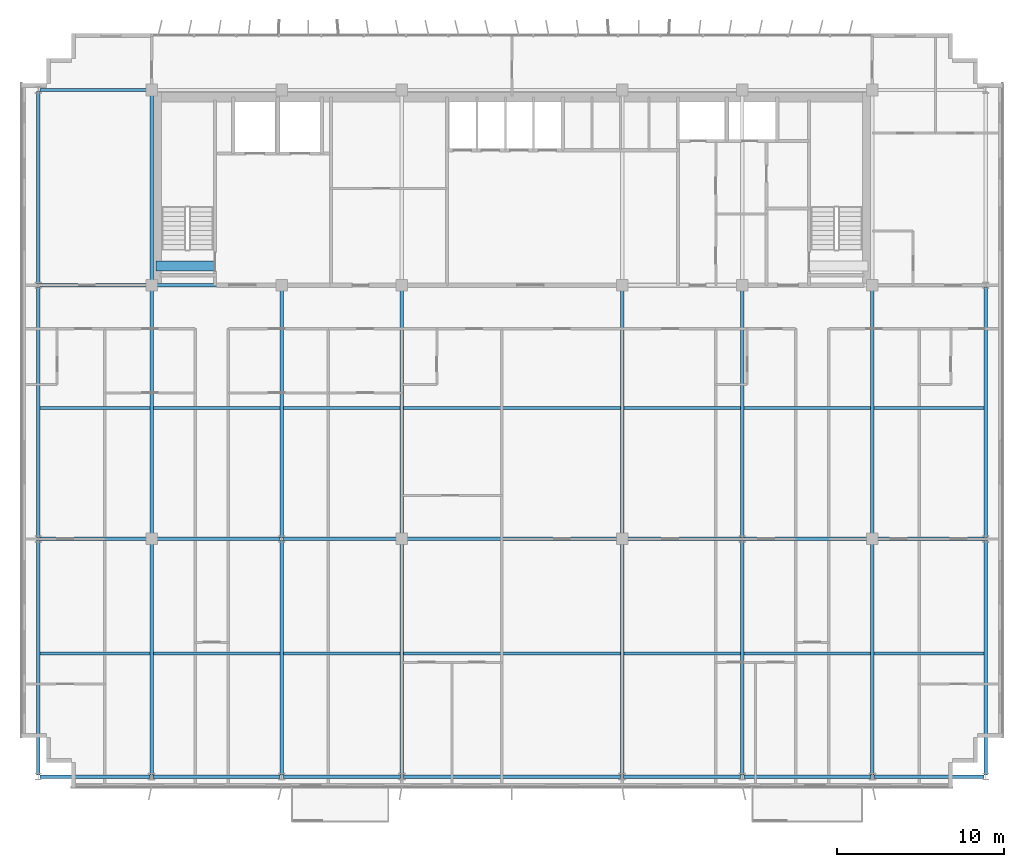
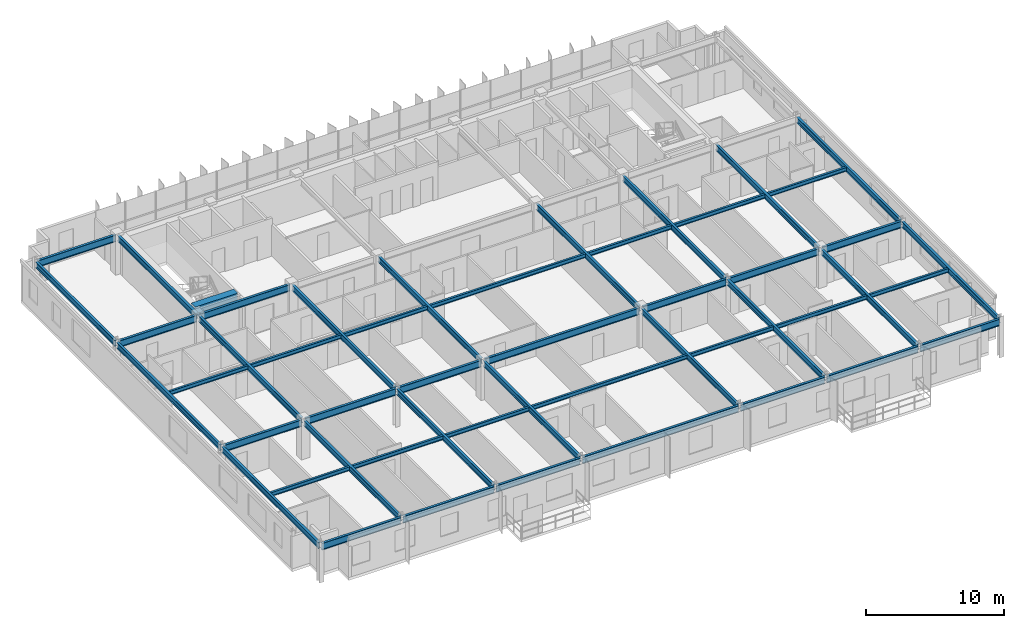
# One storey, part 3 of 21: 50 beams.
"""IFC4 building model written with IfcOpenShell, lengths in metres."""

from ifc_helpers import new_model, si_unit, direction, frame, origin, origin_2d, place, context, subcontext, project, spatial, rectangle, i_section, extrude, source, transform, mapped, material, material_profile, profile_set, type_object, element, save


model = new_model("IFC4")

# Units and contexts
model_context = context("Model", 3, precision=1e-05, world=origin(), true_north=direction((0.0, 1.0)))
body_context = subcontext(model_context, "Body", "Model", "MODEL_VIEW")
ifc_project = project(units=[si_unit("LENGTHUNIT", "METRE"), si_unit("AREAUNIT", "SQUARE_METRE"), si_unit("VOLUMEUNIT", "CUBIC_METRE"), si_unit("PLANEANGLEUNIT", "RADIAN"), si_unit("MASSUNIT", "GRAM", prefix="KILO")], contexts=[model_context])

# Site, building, storey
site_placement = place(None, origin())
site = spatial("IfcSite", under=ifc_project, at=site_placement, CompositionType="ELEMENT")
building_placement = place(site_placement, origin())
building = spatial("IfcBuilding", under=site, at=building_placement, Name="Trelvane Seafront Commons", CompositionType="ELEMENT")
storey_placement = place(building_placement, frame((0.0, 0.0, 160.89990234375)))
storey = spatial("IfcBuildingStorey", under=building, at=storey_placement, Name="L42", CompositionType="ELEMENT", Elevation=160.89990234375)

# Beams
ifc_material_1 = material(Name="Concrete C60/75", Category="concrete")
ifc_material_profile_1 = material_profile(ifc_material_1, rectangle(XDim=0.60009765625, YDim=0.89990234375, at=origin_2d()), Name="RC-600x900")
ifc_profile_set_1 = profile_set([ifc_material_profile_1], Name="Concrete C60/75")
beam_type_1 = type_object("IfcBeamType", Name="STR-LNT-RC600x900", PredefinedType="LINTEL", material=ifc_profile_set_1)
shared_shape_1 = source(origin(), body_context, "Body", "SweptSolid", [
    extrude(rectangle(XDim=0.60009765625, YDim=0.89990234375, at=origin_2d()), origin(), (0.0, 0.0, 1.0), 3.5498046875),
])
beam_1_placement = place(storey_placement, frame((15.85009765625, 34.550048828125, 2.900146484375), z_axis=(1.0, 0.0, 0.0), x_axis=(0.0, 1.0, 0.0)))
element("IfcBeam", 1, at=beam_1_placement, inside=storey, type_object=beam_type_1, Name="L42 Core Coupling Lintel Beam CB-67", PredefinedType="LINTEL", context=body_context, shape_type="MappedRepresentation", body=[
    mapped(shared_shape_1, transform((0.0, 0.0, 0.0), x_axis=(1.0, 0.0, 0.0), y_axis=(0.0, 1.0, 0.0), z_axis=(0.0, 0.0, 1.0), scale=1.0)),
])
ifc_material_2 = material(Name="Steel SM355 (S355)", Category="steel")
ifc_material_profile_2 = material_profile(ifc_material_2, i_section(OverallWidth=0.199951171875, OverallDepth=0.5, WebThickness=0.010009765625, FlangeThickness=0.01611328125, at=origin_2d()), Name="H-500x200x10x16")
ifc_profile_set_2 = profile_set([ifc_material_profile_2], Name="Steel SM355 (S355)")
beam_type_2 = type_object("IfcBeamType", Name="STR-BM-H500", PredefinedType="BEAM", material=ifc_profile_set_2)
shared_shape_2 = source(origin(), body_context, "Body", "SweptSolid", [
    extrude(i_section(OverallWidth=0.199951171875, OverallDepth=0.5, WebThickness=0.010009765625, FlangeThickness=0.01611328125, at=origin_2d()), origin(), (0.0, 0.0, 1.0), 14.89990234375),
])
for number, where, z_axis, x_axis, name in (
    (2, (15.60009765625, 18.35009765625, 3.10009765625), (0.0, 1.0, 0.0), (-1.0, 0.0, 0.0), "L42 Primary Girder G-33"),
    (3, (30.60009765625, 18.35009765625, 3.10009765625), (0.0, 1.0, 0.0), (-1.0, 0.0, 0.0), "L42 Primary Girder G-39"),
    (4, (43.800048828125, 18.35009765625, 3.10009765625), (0.0, 1.0, 0.0), (-1.0, 0.0, 0.0), "L42 Primary Girder G-42"),
    (5, (58.800048828125, 18.35009765625, 3.10009765625), (0.0, 1.0, 0.0), (-1.0, 0.0, 0.0), "L42 Primary Girder G-48"),
):
    element("IfcBeam", number, at=place(storey_placement, frame(where, z_axis=z_axis, x_axis=x_axis)), inside=storey, type_object=beam_type_2, Name=name, PredefinedType="BEAM", context=body_context, shape_type="MappedRepresentation", body=[
        mapped(shared_shape_2, transform((0.0, 0.0, 0.0), x_axis=(1.0, 0.0, 0.0), y_axis=(0.0, 1.0, 0.0), z_axis=(0.0, 0.0, 1.0), scale=1.0)),
    ])
shared_shape_3 = source(origin(), body_context, "Body", "SweptSolid", [
    extrude(i_section(OverallWidth=0.199951171875, OverallDepth=0.5, WebThickness=0.010009765625, FlangeThickness=0.01611328125, at=origin_2d()), origin(), (0.0, 0.0, 1.0), 11.39990234375),
])
beam_2_placement = place(storey_placement, frame((15.60009765625, 33.550048828125, 3.10009765625), z_axis=(0.0, 1.0, 0.0), x_axis=(-1.0, 0.0, 0.0)))
element("IfcBeam", 6, at=beam_2_placement, inside=storey, type_object=beam_type_2, Name="L42 Primary Girder G-34", PredefinedType="BEAM", context=body_context, shape_type="MappedRepresentation", body=[
    mapped(shared_shape_3, transform((0.0, 0.0, 0.0), x_axis=(1.0, 0.0, 0.0), y_axis=(0.0, 1.0, 0.0), z_axis=(0.0, 0.0, 1.0), scale=1.0)),
])
ifc_material_profile_3 = material_profile(ifc_material_2, i_section(OverallWidth=0.175048828125, OverallDepth=0.35009765625, WebThickness=0.007080078125, FlangeThickness=0.010986328125, at=origin_2d()), Name="H-350x175x7x11")
ifc_profile_set_3 = profile_set([ifc_material_profile_3], Name="Steel SM355 (S355)")
beam_type_3 = type_object("IfcBeamType", Name="STR-JST-H350", PredefinedType="JOIST", material=ifc_profile_set_3)
shared_shape_4 = source(origin(), body_context, "Body", "SweptSolid", [
    extrude(i_section(OverallWidth=0.175048828125, OverallDepth=0.35009765625, WebThickness=0.007080078125, FlangeThickness=0.010986328125, at=origin_2d()), origin(), (0.0, 0.0, 1.0), 6.60009765625),
])
for number, where, z_axis, x_axis, name in (
    (7, (8.89990234375, 11.324951171875, 3.175048828125), (1.0, 0.0, 0.0), (0.0, 1.0, 0.0), "L42 Secondary Floor Joist B-53"),
    (8, (58.89990234375, 11.324951171875, 3.175048828125), (1.0, 0.0, 0.0), (0.0, 1.0, 0.0), "L42 Secondary Floor Joist B-59"),
    (9, (8.89990234375, 26.050048828125, 3.175048828125), (1.0, 0.0, 0.0), (0.0, 1.0, 0.0), "L42 Secondary Floor Joist B-60"),
    (10, (58.89990234375, 26.050048828125, 3.175048828125), (1.0, 0.0, 0.0), (0.0, 1.0, 0.0), "L42 Secondary Floor Joist B-66"),
):
    element("IfcBeam", number, at=place(storey_placement, frame(where, z_axis=z_axis, x_axis=x_axis)), inside=storey, type_object=beam_type_3, Name=name, PredefinedType="JOIST", context=body_context, shape_type="MappedRepresentation", body=[
        mapped(shared_shape_4, transform((0.0, 0.0, 0.0), x_axis=(1.0, 0.0, 0.0), y_axis=(0.0, 1.0, 0.0), z_axis=(0.0, 0.0, 1.0), scale=1.0)),
    ])
shared_shape_5 = source(origin(), body_context, "Body", "SweptSolid", [
    extrude(i_section(OverallWidth=0.175048828125, OverallDepth=0.35009765625, WebThickness=0.007080078125, FlangeThickness=0.010986328125, at=origin_2d()), origin(), (0.0, 0.0, 1.0), 7.60009765625),
])
for number, where, z_axis, x_axis, name in (
    (11, (15.699951171875, 11.324951171875, 3.175048828125), (1.0, 0.0, 0.0), (0.0, 1.0, 0.0), "L42 Secondary Floor Joist B-54"),
    (12, (15.699951171875, 26.050048828125, 3.175048828125), (1.0, 0.0, 0.0), (0.0, 1.0, 0.0), "L42 Secondary Floor Joist B-61"),
):
    element("IfcBeam", number, at=place(storey_placement, frame(where, z_axis=z_axis, x_axis=x_axis)), inside=storey, type_object=beam_type_3, Name=name, PredefinedType="JOIST", context=body_context, shape_type="MappedRepresentation", body=[
        mapped(shared_shape_5, transform((0.0, 0.0, 0.0), x_axis=(1.0, 0.0, 0.0), y_axis=(0.0, 1.0, 0.0), z_axis=(0.0, 0.0, 1.0), scale=1.0)),
    ])
shared_shape_6 = source(origin(), body_context, "Body", "SweptSolid", [
    extrude(i_section(OverallWidth=0.175048828125, OverallDepth=0.35009765625, WebThickness=0.007080078125, FlangeThickness=0.010986328125, at=origin_2d()), origin(), (0.0, 0.0, 1.0), 7.0),
])
for number, where, z_axis, x_axis, name in (
    (13, (23.5, 11.324951171875, 3.175048828125), (1.0, 0.0, 0.0), (0.0, 1.0, 0.0), "L42 Secondary Floor Joist B-55"),
    (14, (43.89990234375, 11.324951171875, 3.175048828125), (1.0, 0.0, 0.0), (0.0, 1.0, 0.0), "L42 Secondary Floor Joist B-57"),
    (15, (23.5, 26.050048828125, 3.175048828125), (1.0, 0.0, 0.0), (0.0, 1.0, 0.0), "L42 Secondary Floor Joist B-62"),
    (16, (43.89990234375, 26.050048828125, 3.175048828125), (1.0, 0.0, 0.0), (0.0, 1.0, 0.0), "L42 Secondary Floor Joist B-64"),
):
    element("IfcBeam", number, at=place(storey_placement, frame(where, z_axis=z_axis, x_axis=x_axis)), inside=storey, type_object=beam_type_3, Name=name, PredefinedType="JOIST", context=body_context, shape_type="MappedRepresentation", body=[
        mapped(shared_shape_6, transform((0.0, 0.0, 0.0), x_axis=(1.0, 0.0, 0.0), y_axis=(0.0, 1.0, 0.0), z_axis=(0.0, 0.0, 1.0), scale=1.0)),
    ])
shared_shape_7 = source(origin(), body_context, "Body", "SweptSolid", [
    extrude(i_section(OverallWidth=0.175048828125, OverallDepth=0.35009765625, WebThickness=0.007080078125, FlangeThickness=0.010986328125, at=origin_2d()), origin(), (0.0, 0.0, 1.0), 13.0),
])
for number, where, z_axis, x_axis, name in (
    (17, (30.699951171875, 11.324951171875, 3.175048828125), (1.0, 0.0, 0.0), (0.0, 1.0, 0.0), "L42 Secondary Floor Joist B-56"),
    (18, (30.699951171875, 26.050048828125, 3.175048828125), (1.0, 0.0, 0.0), (0.0, 1.0, 0.0), "L42 Secondary Floor Joist B-63"),
):
    element("IfcBeam", number, at=place(storey_placement, frame(where, z_axis=z_axis, x_axis=x_axis)), inside=storey, type_object=beam_type_3, Name=name, PredefinedType="JOIST", context=body_context, shape_type="MappedRepresentation", body=[
        mapped(shared_shape_7, transform((0.0, 0.0, 0.0), x_axis=(1.0, 0.0, 0.0), y_axis=(0.0, 1.0, 0.0), z_axis=(0.0, 0.0, 1.0), scale=1.0)),
    ])
shared_shape_8 = source(origin(), body_context, "Body", "SweptSolid", [
    extrude(i_section(OverallWidth=0.175048828125, OverallDepth=0.35009765625, WebThickness=0.007080078125, FlangeThickness=0.010986328125, at=origin_2d()), origin(), (0.0, 0.0, 1.0), 7.599853515625),
])
for number, where, z_axis, x_axis, name in (
    (19, (51.10009765625, 11.324951171875, 3.175048828125), (1.0, 0.0, 0.0), (0.0, 1.0, 0.0), "L42 Secondary Floor Joist B-58"),
    (20, (51.10009765625, 26.050048828125, 3.175048828125), (1.0, 0.0, 0.0), (0.0, 1.0, 0.0), "L42 Secondary Floor Joist B-65"),
):
    element("IfcBeam", number, at=place(storey_placement, frame(where, z_axis=z_axis, x_axis=x_axis)), inside=storey, type_object=beam_type_3, Name=name, PredefinedType="JOIST", context=body_context, shape_type="MappedRepresentation", body=[
        mapped(shared_shape_8, transform((0.0, 0.0, 0.0), x_axis=(1.0, 0.0, 0.0), y_axis=(0.0, 1.0, 0.0), z_axis=(0.0, 0.0, 1.0), scale=1.0)),
    ])
ifc_material_profile_4 = material_profile(ifc_material_2, i_section(OverallWidth=0.199951171875, OverallDepth=0.60009765625, WebThickness=0.010986328125, FlangeThickness=0.01708984375, at=origin_2d()), Name="H-600x200x11x17")
ifc_profile_set_4 = profile_set([ifc_material_profile_4], Name="Steel SM355 (S355)")
beam_type_4 = type_object("IfcBeamType", Name="STR-SPD-H600", PredefinedType="SPANDREL", material=ifc_profile_set_4)
shared_shape_9 = source(origin(), body_context, "Body", "SweptSolid", [
    extrude(i_section(OverallWidth=0.199951171875, OverallDepth=0.60009765625, WebThickness=0.010986328125, FlangeThickness=0.01708984375, at=origin_2d()), origin(), (0.0, 0.0, 1.0), 6.60986328125),
])
for number, where, z_axis, x_axis, name in (
    (21, (8.89501953125, 3.949951171875, 3.050048828125), (1.0, 0.0, 0.0), (0.0, 1.0, 0.0), "L42 Primary Girder G-01"),
    (22, (58.89501953125, 3.949951171875, 3.050048828125), (1.0, 0.0, 0.0), (0.0, 1.0, 0.0), "L42 Primary Girder G-07"),
):
    element("IfcBeam", number, at=place(storey_placement, frame(where, z_axis=z_axis, x_axis=x_axis)), inside=storey, type_object=beam_type_4, Name=name, PredefinedType="SPANDREL", context=body_context, shape_type="MappedRepresentation", body=[
        mapped(shared_shape_9, transform((0.0, 0.0, 0.0), x_axis=(1.0, 0.0, 0.0), y_axis=(0.0, 1.0, 0.0), z_axis=(0.0, 0.0, 1.0), scale=1.0)),
    ])
shared_shape_10 = source(origin(), body_context, "Body", "SweptSolid", [
    extrude(i_section(OverallWidth=0.199951171875, OverallDepth=0.60009765625, WebThickness=0.010986328125, FlangeThickness=0.01708984375, at=origin_2d()), origin(), (0.0, 0.0, 1.0), 7.60986328125),
])
beam_3_placement = place(storey_placement, frame((15.695068359375, 3.949951171875, 3.050048828125), z_axis=(1.0, 0.0, 0.0), x_axis=(0.0, 1.0, 0.0)))
element("IfcBeam", 23, at=beam_3_placement, inside=storey, type_object=beam_type_4, Name="L42 Primary Girder G-02", PredefinedType="SPANDREL", context=body_context, shape_type="MappedRepresentation", body=[
    mapped(shared_shape_10, transform((0.0, 0.0, 0.0), x_axis=(1.0, 0.0, 0.0), y_axis=(0.0, 1.0, 0.0), z_axis=(0.0, 0.0, 1.0), scale=1.0)),
])
shared_shape_11 = source(origin(), body_context, "Body", "SweptSolid", [
    extrude(i_section(OverallWidth=0.199951171875, OverallDepth=0.60009765625, WebThickness=0.010986328125, FlangeThickness=0.01708984375, at=origin_2d()), origin(), (0.0, 0.0, 1.0), 7.009765625),
])
beam_4_placement = place(storey_placement, frame((23.4951171875, 3.949951171875, 3.050048828125), z_axis=(1.0, 0.0, 0.0), x_axis=(0.0, 1.0, 0.0)))
element("IfcBeam", 24, at=beam_4_placement, inside=storey, type_object=beam_type_4, Name="L42 Primary Girder G-03", PredefinedType="SPANDREL", context=body_context, shape_type="MappedRepresentation", body=[
    mapped(shared_shape_11, transform((0.0, 0.0, 0.0), x_axis=(1.0, 0.0, 0.0), y_axis=(0.0, 1.0, 0.0), z_axis=(0.0, 0.0, 1.0), scale=1.0)),
])
shared_shape_12 = source(origin(), body_context, "Body", "SweptSolid", [
    extrude(i_section(OverallWidth=0.199951171875, OverallDepth=0.60009765625, WebThickness=0.010986328125, FlangeThickness=0.01708984375, at=origin_2d()), origin(), (0.0, 0.0, 1.0), 13.010009765625),
])
beam_5_placement = place(storey_placement, frame((30.695068359375, 3.949951171875, 3.050048828125), z_axis=(1.0, 0.0, 0.0), x_axis=(0.0, 1.0, 0.0)))
element("IfcBeam", 25, at=beam_5_placement, inside=storey, type_object=beam_type_4, Name="L42 Primary Girder G-04", PredefinedType="SPANDREL", context=body_context, shape_type="MappedRepresentation", body=[
    mapped(shared_shape_12, transform((0.0, 0.0, 0.0), x_axis=(1.0, 0.0, 0.0), y_axis=(0.0, 1.0, 0.0), z_axis=(0.0, 0.0, 1.0), scale=1.0)),
])
shared_shape_13 = source(origin(), body_context, "Body", "SweptSolid", [
    extrude(i_section(OverallWidth=0.199951171875, OverallDepth=0.60009765625, WebThickness=0.010986328125, FlangeThickness=0.01708984375, at=origin_2d()), origin(), (0.0, 0.0, 1.0), 7.010009765625),
])
beam_6_placement = place(storey_placement, frame((43.89501953125, 3.949951171875, 3.050048828125), z_axis=(1.0, 0.0, 0.0), x_axis=(0.0, 1.0, 0.0)))
element("IfcBeam", 26, at=beam_6_placement, inside=storey, type_object=beam_type_4, Name="L42 Primary Girder G-05", PredefinedType="SPANDREL", context=body_context, shape_type="MappedRepresentation", body=[
    mapped(shared_shape_13, transform((0.0, 0.0, 0.0), x_axis=(1.0, 0.0, 0.0), y_axis=(0.0, 1.0, 0.0), z_axis=(0.0, 0.0, 1.0), scale=1.0)),
])
shared_shape_14 = source(origin(), body_context, "Body", "SweptSolid", [
    extrude(i_section(OverallWidth=0.199951171875, OverallDepth=0.60009765625, WebThickness=0.010986328125, FlangeThickness=0.01708984375, at=origin_2d()), origin(), (0.0, 0.0, 1.0), 7.610107421875),
])
beam_7_placement = place(storey_placement, frame((51.094970703125, 3.949951171875, 3.050048828125), z_axis=(1.0, 0.0, 0.0), x_axis=(0.0, 1.0, 0.0)))
element("IfcBeam", 27, at=beam_7_placement, inside=storey, type_object=beam_type_4, Name="L42 Primary Girder G-06", PredefinedType="SPANDREL", context=body_context, shape_type="MappedRepresentation", body=[
    mapped(shared_shape_14, transform((0.0, 0.0, 0.0), x_axis=(1.0, 0.0, 0.0), y_axis=(0.0, 1.0, 0.0), z_axis=(0.0, 0.0, 1.0), scale=1.0)),
])
shared_shape_15 = source(origin(), body_context, "Body", "SweptSolid", [
    extrude(i_section(OverallWidth=0.199951171875, OverallDepth=0.60009765625, WebThickness=0.010986328125, FlangeThickness=0.01708984375, at=origin_2d()), origin(), (0.0, 0.0, 1.0), 6.554931640625),
])
for number, where, z_axis, x_axis, name in (
    (28, (8.89501953125, 18.199951171875, 3.050048828125), (1.0, 0.0, 0.0), (0.0, 1.0, 0.0), "L42 Primary Girder G-08"),
    (29, (58.949951171875, 18.199951171875, 3.050048828125), (1.0, 0.0, 0.0), (0.0, 1.0, 0.0), "L42 Primary Girder G-14"),
    (30, (8.89501953125, 33.39990234375, 3.050048828125), (1.0, 0.0, 0.0), (0.0, 1.0, 0.0), "L42 Primary Girder G-15"),
    (31, (8.89501953125, 45.10009765625, 3.050048828125), (1.0, 0.0, 0.0), (0.0, 1.0, 0.0), "L42 Primary Girder G-22"),
):
    element("IfcBeam", number, at=place(storey_placement, frame(where, z_axis=z_axis, x_axis=x_axis)), inside=storey, type_object=beam_type_4, Name=name, PredefinedType="SPANDREL", context=body_context, shape_type="MappedRepresentation", body=[
        mapped(shared_shape_15, transform((0.0, 0.0, 0.0), x_axis=(1.0, 0.0, 0.0), y_axis=(0.0, 1.0, 0.0), z_axis=(0.0, 0.0, 1.0), scale=1.0)),
    ])
shared_shape_16 = source(origin(), body_context, "Body", "SweptSolid", [
    extrude(i_section(OverallWidth=0.199951171875, OverallDepth=0.60009765625, WebThickness=0.010986328125, FlangeThickness=0.01708984375, at=origin_2d()), origin(), (0.0, 0.0, 1.0), 7.554931640625),
])
for number, where, z_axis, x_axis, name in (
    (32, (15.75, 18.199951171875, 3.050048828125), (1.0, 0.0, 0.0), (0.0, 1.0, 0.0), "L42 Primary Girder G-09"),
    (33, (51.094970703125, 18.199951171875, 3.050048828125), (1.0, 0.0, 0.0), (0.0, 1.0, 0.0), "L42 Primary Girder G-13"),
):
    element("IfcBeam", number, at=place(storey_placement, frame(where, z_axis=z_axis, x_axis=x_axis)), inside=storey, type_object=beam_type_4, Name=name, PredefinedType="SPANDREL", context=body_context, shape_type="MappedRepresentation", body=[
        mapped(shared_shape_16, transform((0.0, 0.0, 0.0), x_axis=(1.0, 0.0, 0.0), y_axis=(0.0, 1.0, 0.0), z_axis=(0.0, 0.0, 1.0), scale=1.0)),
    ])
shared_shape_17 = source(origin(), body_context, "Body", "SweptSolid", [
    extrude(i_section(OverallWidth=0.199951171875, OverallDepth=0.60009765625, WebThickness=0.010986328125, FlangeThickness=0.01708984375, at=origin_2d()), origin(), (0.0, 0.0, 1.0), 6.954833984375),
])
beam_8_placement = place(storey_placement, frame((23.4951171875, 18.199951171875, 3.050048828125), z_axis=(1.0, 0.0, 0.0), x_axis=(0.0, 1.0, 0.0)))
element("IfcBeam", 34, at=beam_8_placement, inside=storey, type_object=beam_type_4, Name="L42 Primary Girder G-10", PredefinedType="SPANDREL", context=body_context, shape_type="MappedRepresentation", body=[
    mapped(shared_shape_17, transform((0.0, 0.0, 0.0), x_axis=(1.0, 0.0, 0.0), y_axis=(0.0, 1.0, 0.0), z_axis=(0.0, 0.0, 1.0), scale=1.0)),
])
shared_shape_18 = source(origin(), body_context, "Body", "SweptSolid", [
    extrude(i_section(OverallWidth=0.199951171875, OverallDepth=0.60009765625, WebThickness=0.010986328125, FlangeThickness=0.01708984375, at=origin_2d()), origin(), (0.0, 0.0, 1.0), 12.89990234375),
])
beam_9_placement = place(storey_placement, frame((30.75, 18.199951171875, 3.050048828125), z_axis=(1.0, 0.0, 0.0), x_axis=(0.0, 1.0, 0.0)))
element("IfcBeam", 35, at=beam_9_placement, inside=storey, type_object=beam_type_4, Name="L42 Primary Girder G-11", PredefinedType="SPANDREL", context=body_context, shape_type="MappedRepresentation", body=[
    mapped(shared_shape_18, transform((0.0, 0.0, 0.0), x_axis=(1.0, 0.0, 0.0), y_axis=(0.0, 1.0, 0.0), z_axis=(0.0, 0.0, 1.0), scale=1.0)),
])
shared_shape_19 = source(origin(), body_context, "Body", "SweptSolid", [
    extrude(i_section(OverallWidth=0.199951171875, OverallDepth=0.60009765625, WebThickness=0.010986328125, FlangeThickness=0.01708984375, at=origin_2d()), origin(), (0.0, 0.0, 1.0), 6.955078125),
])
beam_10_placement = place(storey_placement, frame((43.949951171875, 18.199951171875, 3.050048828125), z_axis=(1.0, 0.0, 0.0), x_axis=(0.0, 1.0, 0.0)))
element("IfcBeam", 36, at=beam_10_placement, inside=storey, type_object=beam_type_4, Name="L42 Primary Girder G-12", PredefinedType="SPANDREL", context=body_context, shape_type="MappedRepresentation", body=[
    mapped(shared_shape_19, transform((0.0, 0.0, 0.0), x_axis=(1.0, 0.0, 0.0), y_axis=(0.0, 1.0, 0.0), z_axis=(0.0, 0.0, 1.0), scale=1.0)),
])
shared_shape_20 = source(origin(), body_context, "Body", "SweptSolid", [
    extrude(i_section(OverallWidth=0.199951171875, OverallDepth=0.60009765625, WebThickness=0.010986328125, FlangeThickness=0.01708984375, at=origin_2d()), origin(), (0.0, 0.0, 1.0), 7.5),
])
beam_11_placement = place(storey_placement, frame((15.75, 33.39990234375, 3.050048828125), z_axis=(1.0, 0.0, 0.0), x_axis=(0.0, 1.0, 0.0)))
element("IfcBeam", 37, at=beam_11_placement, inside=storey, type_object=beam_type_4, Name="L42 Primary Girder G-16", PredefinedType="SPANDREL", context=body_context, shape_type="MappedRepresentation", body=[
    mapped(shared_shape_20, transform((0.0, 0.0, 0.0), x_axis=(1.0, 0.0, 0.0), y_axis=(0.0, 1.0, 0.0), z_axis=(0.0, 0.0, 1.0), scale=1.0)),
])
shared_shape_21 = source(origin(), body_context, "Body", "SweptSolid", [
    extrude(i_section(OverallWidth=0.199951171875, OverallDepth=0.5, WebThickness=0.010009765625, FlangeThickness=0.01611328125, at=origin_2d()), origin(), (0.0, 0.0, 1.0), 14.06005859375),
])
for number, where, z_axis, x_axis, name in (
    (38, (8.800048828125, 4.044921875, 3.10009765625), (0.0, 1.0, 0.0), (-1.0, 0.0, 0.0), "L42 Primary Girder G-29"),
    (39, (23.39990234375, 4.044921875, 3.10009765625), (0.0, 1.0, 0.0), (-1.0, 0.0, 0.0), "L42 Primary Girder G-35"),
    (40, (51.0, 4.044921875, 3.10009765625), (0.0, 1.0, 0.0), (-1.0, 0.0, 0.0), "L42 Primary Girder G-44"),
    (41, (65.60009765625, 4.044921875, 3.10009765625), (0.0, 1.0, 0.0), (-1.0, 0.0, 0.0), "L42 Primary Girder G-50"),
):
    element("IfcBeam", number, at=place(storey_placement, frame(where, z_axis=z_axis, x_axis=x_axis)), inside=storey, type_object=beam_type_2, Name=name, PredefinedType="BEAM", context=body_context, shape_type="MappedRepresentation", body=[
        mapped(shared_shape_21, transform((0.0, 0.0, 0.0), x_axis=(1.0, 0.0, 0.0), y_axis=(0.0, 1.0, 0.0), z_axis=(0.0, 0.0, 1.0), scale=1.0)),
    ])
shared_shape_22 = source(origin(), body_context, "Body", "SweptSolid", [
    extrude(i_section(OverallWidth=0.199951171875, OverallDepth=0.5, WebThickness=0.010009765625, FlangeThickness=0.01611328125, at=origin_2d()), origin(), (0.0, 0.0, 1.0), 15.010009765625),
])
for number, where, z_axis, x_axis, name in (
    (42, (8.800048828125, 18.294921875, 3.10009765625), (0.0, 1.0, 0.0), (-1.0, 0.0, 0.0), "L42 Primary Girder G-30"),
    (43, (65.60009765625, 18.294921875, 3.10009765625), (0.0, 1.0, 0.0), (-1.0, 0.0, 0.0), "L42 Primary Girder G-51"),
):
    element("IfcBeam", number, at=place(storey_placement, frame(where, z_axis=z_axis, x_axis=x_axis)), inside=storey, type_object=beam_type_2, Name=name, PredefinedType="BEAM", context=body_context, shape_type="MappedRepresentation", body=[
        mapped(shared_shape_22, transform((0.0, 0.0, 0.0), x_axis=(1.0, 0.0, 0.0), y_axis=(0.0, 1.0, 0.0), z_axis=(0.0, 0.0, 1.0), scale=1.0)),
    ])
shared_shape_23 = source(origin(), body_context, "Body", "SweptSolid", [
    extrude(i_section(OverallWidth=0.199951171875, OverallDepth=0.5, WebThickness=0.010009765625, FlangeThickness=0.01611328125, at=origin_2d()), origin(), (0.0, 0.0, 1.0), 11.509765625),
])
beam_12_placement = place(storey_placement, frame((8.800048828125, 33.4951171875, 3.10009765625), z_axis=(0.0, 1.0, 0.0), x_axis=(-1.0, 0.0, 0.0)))
element("IfcBeam", 44, at=beam_12_placement, inside=storey, type_object=beam_type_2, Name="L42 Primary Girder G-31", PredefinedType="BEAM", context=body_context, shape_type="MappedRepresentation", body=[
    mapped(shared_shape_23, transform((0.0, 0.0, 0.0), x_axis=(1.0, 0.0, 0.0), y_axis=(0.0, 1.0, 0.0), z_axis=(0.0, 0.0, 1.0), scale=1.0)),
])
shared_shape_24 = source(origin(), body_context, "Body", "SweptSolid", [
    extrude(i_section(OverallWidth=0.199951171875, OverallDepth=0.5, WebThickness=0.010009765625, FlangeThickness=0.01611328125, at=origin_2d()), origin(), (0.0, 0.0, 1.0), 14.005126953125),
])
for number, where, z_axis, x_axis, name in (
    (45, (15.60009765625, 4.044921875, 3.10009765625), (0.0, 1.0, 0.0), (-1.0, 0.0, 0.0), "L42 Primary Girder G-32"),
    (46, (30.60009765625, 4.044921875, 3.10009765625), (0.0, 1.0, 0.0), (-1.0, 0.0, 0.0), "L42 Primary Girder G-38"),
    (47, (43.800048828125, 4.044921875, 3.10009765625), (0.0, 1.0, 0.0), (-1.0, 0.0, 0.0), "L42 Primary Girder G-41"),
    (48, (58.800048828125, 4.044921875, 3.10009765625), (0.0, 1.0, 0.0), (-1.0, 0.0, 0.0), "L42 Primary Girder G-47"),
):
    element("IfcBeam", number, at=place(storey_placement, frame(where, z_axis=z_axis, x_axis=x_axis)), inside=storey, type_object=beam_type_2, Name=name, PredefinedType="BEAM", context=body_context, shape_type="MappedRepresentation", body=[
        mapped(shared_shape_24, transform((0.0, 0.0, 0.0), x_axis=(1.0, 0.0, 0.0), y_axis=(0.0, 1.0, 0.0), z_axis=(0.0, 0.0, 1.0), scale=1.0)),
    ])
shared_shape_25 = source(origin(), body_context, "Body", "SweptSolid", [
    extrude(i_section(OverallWidth=0.199951171875, OverallDepth=0.5, WebThickness=0.010009765625, FlangeThickness=0.01611328125, at=origin_2d()), origin(), (0.0, 0.0, 1.0), 14.955078125),
])
for number, where, z_axis, x_axis, name in (
    (49, (23.39990234375, 18.294921875, 3.10009765625), (0.0, 1.0, 0.0), (-1.0, 0.0, 0.0), "L42 Primary Girder G-36"),
    (50, (51.0, 18.294921875, 3.10009765625), (0.0, 1.0, 0.0), (-1.0, 0.0, 0.0), "L42 Primary Girder G-45"),
):
    element("IfcBeam", number, at=place(storey_placement, frame(where, z_axis=z_axis, x_axis=x_axis)), inside=storey, type_object=beam_type_2, Name=name, PredefinedType="BEAM", context=body_context, shape_type="MappedRepresentation", body=[
        mapped(shared_shape_25, transform((0.0, 0.0, 0.0), x_axis=(1.0, 0.0, 0.0), y_axis=(0.0, 1.0, 0.0), z_axis=(0.0, 0.0, 1.0), scale=1.0)),
    ])

save(model, "model.ifc")
